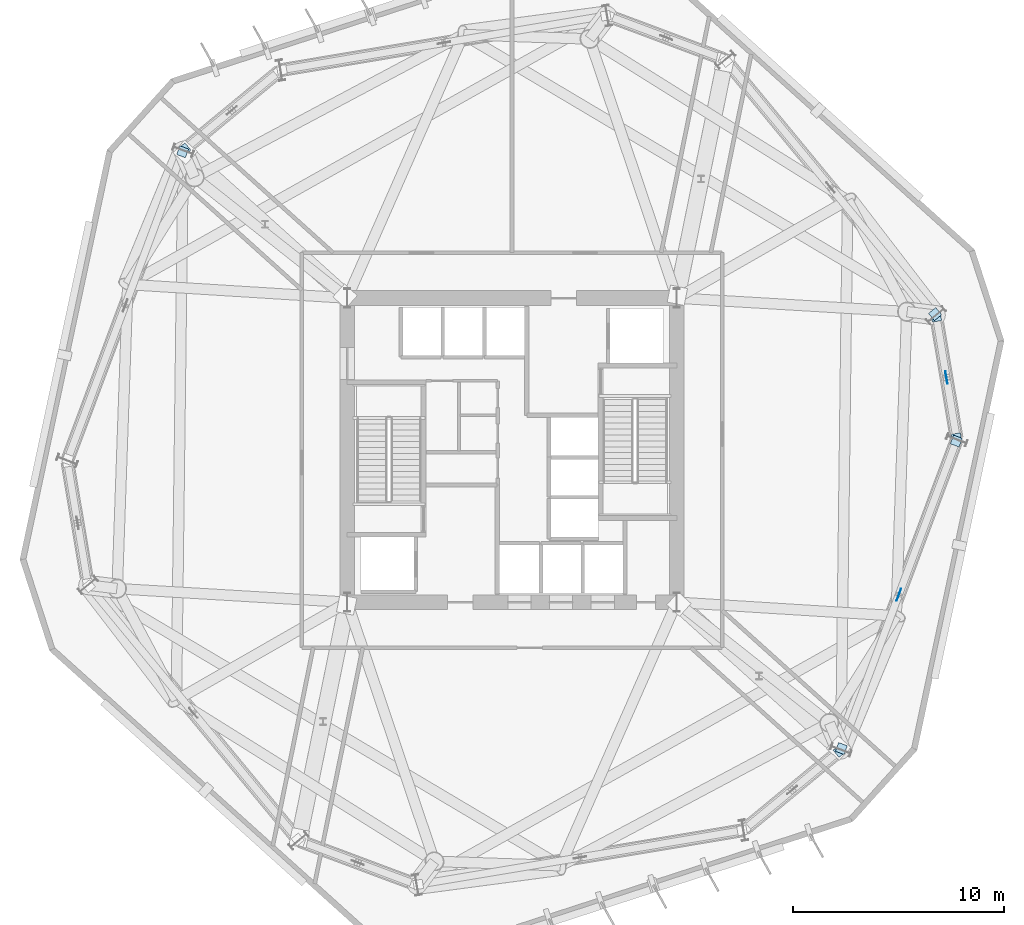
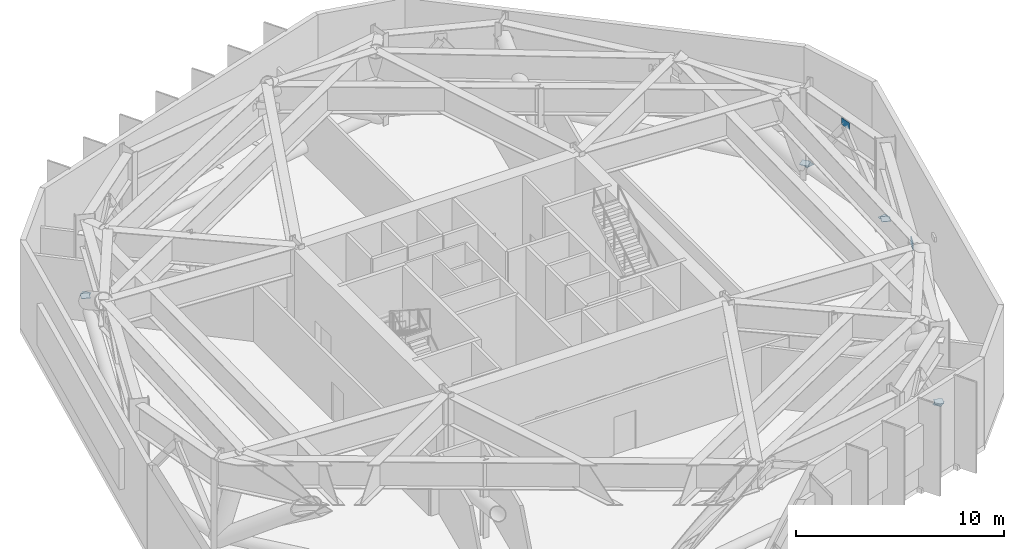
# One storey, part 5 of 12: 10 plates.
"""IFC4 building model written with IfcOpenShell, lengths in metres."""

from ifc_helpers import new_model, si_unit, direction, frame, origin, origin_2d, place, context, subcontext, project, spatial, rectangle, extrude, material, layer, layer_set, type_object, element, save


model = new_model("IFC4")

# Units and contexts
model_context = context("Model", 3, precision=1e-05, world=origin(), true_north=direction((0.0, 1.0)))
body_context = subcontext(model_context, "Body", "Model", "MODEL_VIEW")
ifc_project = project(units=[si_unit("LENGTHUNIT", "METRE"), si_unit("AREAUNIT", "SQUARE_METRE"), si_unit("VOLUMEUNIT", "CUBIC_METRE"), si_unit("PLANEANGLEUNIT", "RADIAN"), si_unit("MASSUNIT", "GRAM", prefix="KILO")], contexts=[model_context])

# Site, building, storey
site_placement = place(None, origin())
site = spatial("IfcSite", under=ifc_project, at=site_placement, CompositionType="ELEMENT")
building_placement = place(site_placement, origin())
building = spatial("IfcBuilding", under=site, at=building_placement, Name="Kranzbogen Civic Tower", CompositionType="ELEMENT")
storey_placement = place(building_placement, frame((0.0, 0.0, 92.0)))
storey = spatial("IfcBuildingStorey", under=building, at=storey_placement, Name="L22", CompositionType="ELEMENT", Elevation=92.0)

# Plates
ifc_material = material(Name="Steel S355", Category="steel")
ifc_layer_1 = layer(ifc_material, 0.028076171875, Name="Steel S355")
ifc_layer_set_1 = layer_set([ifc_layer_1], Name="Steel S355")
plate_type_1 = type_object("IfcPlateType", Name="Belt Truss Node Gusset Plate 600x400x28", PredefinedType="USERDEFINED", material=ifc_layer_set_1)
for number, where, z_axis, x_axis, name in (
    (1, (43.31201171875, 18.154052734375, 4.39013671875), (0.0, 0.0, 1.0), (0.350174685019, 0.936684413221, 0.0), "L22 belt truss apex gusset plate 06"),
    (2, (45.56396484375, 28.44091796875, 4.39013671875), (0.0, 0.0, 1.0), (-0.164944321369, 0.986302879874, 0.0), "L22 belt truss apex gusset plate 07"),
):
    element("IfcPlate", number, at=place(storey_placement, frame(where, z_axis=z_axis, x_axis=x_axis)), inside=storey, type_object=plate_type_1, Name=name, ObjectType="GUSSET_PLATE", PredefinedType="USERDEFINED", context=body_context, shape_type="SweptSolid", body=[
        extrude(rectangle(XDim=0.60009765625, YDim=0.028076171875, at=origin_2d()), origin(), (0.0, 0.0, 1.0), 0.39990234375),
    ])
ifc_layer_2 = layer(ifc_material, 0.02490234375, Name="Steel S355")
ifc_layer_set_2 = layer_set([ifc_layer_2], Name="Steel S355")
plate_type_2 = type_object("IfcPlateType", Name="Hollow Section Sealed End Cap Plate 440x440x25", PredefinedType="SHEET", material=ifc_layer_set_2)
for number, where, z_axis, x_axis, name in (
    (3, (40.510986328125, 10.764892578125, 0.62744140625), (0.0, 0.0, 1.0), (-0.771646786236, -0.636051285111, 0.0), "DG-350: L22 belt truss diagonal 05B end cap 1"),
    (4, (40.591064453125, 10.8759765625, 0.631591796875), (0.0, 0.0, 1.0), (0.350158336738, 0.93669052478, 0.0), "DG-350: L22 belt truss diagonal 06A end cap 1"),
    (5, (46.032958984375, 25.430908203125, 0.631591796875), (0.0, 0.0, 1.0), (-0.350207381259, -0.936672189248, 0.0), "DG-350: L22 belt truss diagonal 06B end cap 1"),
    (6, (46.044921875, 25.568115234375, 0.62744140625), (0.0, 0.0, 1.0), (-0.1651853157, 0.98626254693, 0.0), "DG-350: L22 belt truss diagonal 07A end cap 1"),
    (7, (45.083984375, 31.31396484375, 0.62744140625), (0.0, 0.0, 1.0), (0.164841035069, -0.986320147395, 0.0), "DG-350: L22 belt truss diagonal 07B end cap 1"),
    (8, (45.028076171875, 31.43896484375, 0.631591796875), (0.0, 0.0, 1.0), (-0.636132088286, 0.77158017487, 0.0), "DG-350: L22 belt truss diagonal 08A end cap 1"),
    (9, (9.489013671875, 39.235107421875, 0.62744140625), (0.0, 0.0, 1.0), (0.771791081831, 0.635876187638, 0.0), "DG-350: L22 belt truss diagonal 11B end cap 1"),
    (10, (9.408935546875, 39.1240234375, 0.631591796875), (0.0, 0.0, 1.0), (-0.350158336738, -0.93669052478, 0.0), "DG-350: L22 belt truss diagonal 12A end cap 1"),
):
    element("IfcPlate", number, at=place(storey_placement, frame(where, z_axis=z_axis, x_axis=x_axis)), inside=storey, type_object=plate_type_2, Name=name, PredefinedType="SHEET", context=body_context, shape_type="SweptSolid", body=[
        extrude(rectangle(XDim=0.43994140625, YDim=0.43994140625, at=origin_2d()), origin(), (0.0, 0.0, 1.0), 0.02490234375),
    ])

save(model, "model.ifc")
